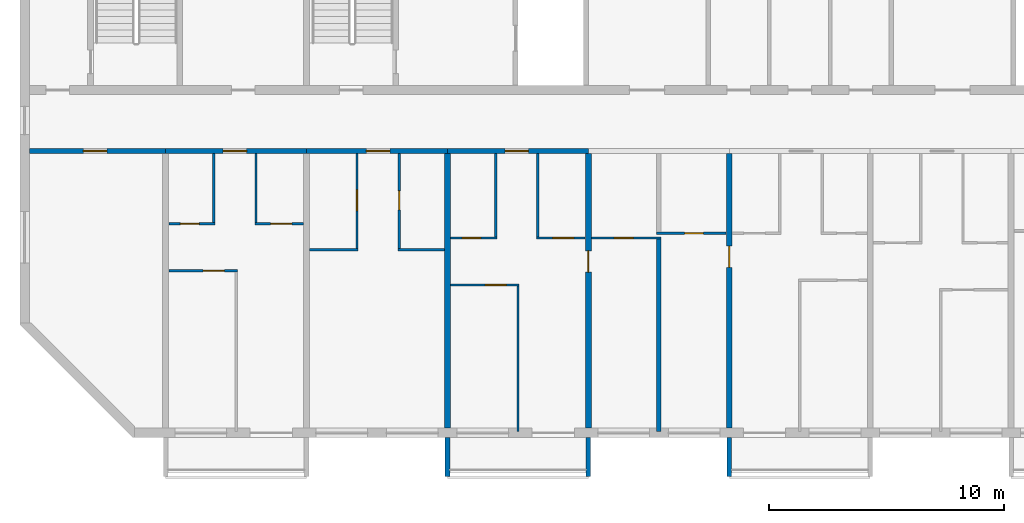
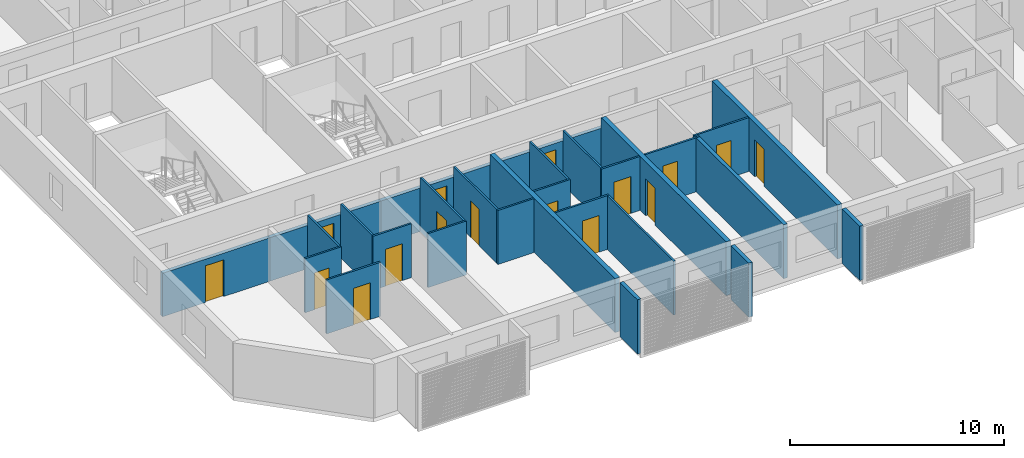
# One storey, part 2 of 27: 28 walls, 16 doors, 16 openings.
"""IFC4 building model written with IfcOpenShell, lengths in metres."""

from ifc_helpers import new_model, si_unit, direction, frame, frame_2d, origin, place, context, subcontext, project, spatial, polyline, rectangle, outline, extrude, source, transform, mapped, material, layer, layer_set, type_object, element, fill, save


model = new_model("IFC4")

# Units and contexts
model_context = context("Model", 3, precision=1e-05, world=origin(), true_north=direction((0.0, 1.0)))
body_context = subcontext(model_context, "Body", "Model", "MODEL_VIEW")
ifc_project = project(units=[si_unit("LENGTHUNIT", "METRE"), si_unit("AREAUNIT", "SQUARE_METRE"), si_unit("VOLUMEUNIT", "CUBIC_METRE"), si_unit("PLANEANGLEUNIT", "RADIAN"), si_unit("MASSUNIT", "GRAM", prefix="KILO")], contexts=[model_context])

# Site, building, storey
site_placement = place(None, origin())
site = spatial("IfcSite", under=ifc_project, at=site_placement, CompositionType="ELEMENT")
building_placement = place(site_placement, origin())
building = spatial("IfcBuilding", under=site, at=building_placement, Name="Poui Terraces", CompositionType="ELEMENT")
storey_placement = place(building_placement, frame((0.0, 0.0, 195.0)))
storey = spatial("IfcBuildingStorey", under=building, at=storey_placement, Name="L54", CompositionType="ELEMENT", Elevation=195.0)

# Wall, opening, door
ifc_material_1 = material(Name="Concrete 50 MPa", Category="concrete")
ifc_layer_1 = layer(ifc_material_1, 0.199951171875)
ifc_layer_set_1 = layer_set([ifc_layer_1], Name="Concrete 50 MPa")
wall_type_1 = type_object("IfcWallType", Name="CORRIDOR WALL 200 50MPa", PredefinedType="SHEAR", material=ifc_layer_set_1)
wall_1_placement = place(storey_placement, frame((18.199951171875, 12.0, 0.0), z_axis=(0.0, 0.0, 1.0), x_axis=(1.0, 0.0, 0.0)))
wall_1 = element("IfcWall", 1, at=wall_1_placement, inside=storey, type_object=wall_type_1, Name="CORRIDOR WALL LINE B BAY 1", PredefinedType="SHEAR", context=body_context, shape_type="SweptSolid", body=[
    extrude(rectangle(XDim=5.800048828125, YDim=0.199951171875, at=frame_2d((2.89990234375, 0.0))), origin(), (0.0, 0.0, 1.0), 2.47998046875),
])
opening_1_placement = place(wall_1_placement, frame((2.300048828125, 0.0, 0.0)))
opening_1 = element("IfcOpeningElement", 2, at=opening_1_placement, cuts=wall_1, Name="Opening D100", PredefinedType="OPENING", context=body_context, shape_type="SweptSolid", body=[
    extrude(rectangle(XDim=1.0, YDim=2.10009765625, at=frame_2d((0.5, 1.050048828125))), frame((0.0, 0.10986328125, 0.0), z_axis=(0.0, -1.0, 0.0), x_axis=(1.0, 0.0, 0.0)), (0.0, 0.0, 1.0), 0.219970703125),
])
ifc_material_2 = material(Name="Solid core timber door", Category="wood")
door_type_1 = type_object("IfcDoorType", Name="ACCESSIBLE INTERNAL DOOR 1000 X 2100", OperationType="NOTDEFINED", PredefinedType="DOOR", material=ifc_material_2)
door_1_placement = place(opening_1_placement, frame((1.0, 0.0, 0.0), z_axis=(0.0, 0.0, 1.0), x_axis=(-1.0, 0.0, 0.0)))
door_1 = element("IfcDoor", 3, at=door_1_placement, inside=storey, type_object=door_type_1, Name="ACCESSIBLE INTERNAL DOOR 063", OperationType="SINGLE_SWING_RIGHT", OverallHeight=2.10009765625, OverallWidth=1.0, PredefinedType="DOOR", context=body_context, shape_type="SweptSolid", body=[
    extrude(rectangle(XDim=1.0, YDim=2.10009765625, at=frame_2d((0.5, 1.050048828125))), frame((0.0, 0.02490234375, 0.0), z_axis=(0.0, -1.0, 0.0), x_axis=(1.0, 0.0, 0.0)), (0.0, 0.0, 1.0), 0.050048828125),
])
fill(opening_1, door_1)

wall_2_placement = place(storey_placement, frame((24.0, 12.0, 0.0), z_axis=(0.0, 0.0, 1.0), x_axis=(1.0, 0.0, 0.0)))
wall_2 = element("IfcWall", 4, at=wall_2_placement, inside=storey, type_object=wall_type_1, Name="CORRIDOR WALL LINE B BAY 2", PredefinedType="SHEAR", context=body_context, shape_type="SweptSolid", body=[
    extrude(rectangle(XDim=6.0, YDim=0.199951171875, at=frame_2d((3.0, 0.0))), origin(), (0.0, 0.0, 1.0), 2.47998046875),
])
opening_2_placement = place(wall_2_placement, frame((2.449951171875, 0.0, 0.0)))
opening_2 = element("IfcOpeningElement", 5, at=opening_2_placement, cuts=wall_2, Name="Opening FD30S", PredefinedType="OPENING", context=body_context, shape_type="SweptSolid", body=[
    extrude(rectangle(XDim=1.0, YDim=2.10009765625, at=frame_2d((0.5, 1.050048828125))), frame((0.0, 0.10986328125, 0.0), z_axis=(0.0, -1.0, 0.0), x_axis=(1.0, 0.0, 0.0)), (0.0, 0.0, 1.0), 0.219970703125),
])
ifc_material_3 = material(Name="Steel fire door", Category="steel")
door_type_2 = type_object("IfcDoorType", Name="FLAT ENTRANCE DOOR 1000 X 2100", OperationType="NOTDEFINED", PredefinedType="DOOR", material=ifc_material_3)
door_2_placement = place(opening_2_placement, frame((1.0, 0.0, 0.0), z_axis=(0.0, 0.0, 1.0), x_axis=(-1.0, 0.0, 0.0)))
door_2 = element("IfcDoor", 6, at=door_2_placement, inside=storey, type_object=door_type_2, Name="FLAT ENTRANCE DOOR 066", OperationType="SINGLE_SWING_RIGHT", OverallHeight=2.10009765625, OverallWidth=1.0, PredefinedType="DOOR", context=body_context, shape_type="SweptSolid", body=[
    extrude(rectangle(XDim=1.0, YDim=2.10009765625, at=frame_2d((0.5, 1.050048828125))), frame((0.0, 0.02490234375, 0.0), z_axis=(0.0, -1.0, 0.0), x_axis=(1.0, 0.0, 0.0)), (0.0, 0.0, 1.0), 0.050048828125),
])
fill(opening_2, door_2)

wall_3_placement = place(storey_placement, frame((30.0, 12.0, 0.0), z_axis=(0.0, 0.0, 1.0), x_axis=(1.0, 0.0, 0.0)))
wall_3 = element("IfcWall", 7, at=wall_3_placement, inside=storey, type_object=wall_type_1, Name="CORRIDOR WALL LINE B BAY 3", PredefinedType="SHEAR", context=body_context, shape_type="SweptSolid", body=[
    extrude(rectangle(XDim=6.0, YDim=0.199951171875, at=frame_2d((3.0, 0.0))), origin(), (0.0, 0.0, 1.0), 2.47998046875),
])
opening_3_placement = place(wall_3_placement, frame((2.550048828125, 0.0, 0.0)))
opening_3 = element("IfcOpeningElement", 8, at=opening_3_placement, cuts=wall_3, Name="Opening FD30S", PredefinedType="OPENING", context=body_context, shape_type="SweptSolid", body=[
    extrude(rectangle(XDim=1.0, YDim=2.10009765625, at=frame_2d((0.5, 1.050048828125))), frame((0.0, 0.10986328125, 0.0), z_axis=(0.0, -1.0, 0.0), x_axis=(1.0, 0.0, 0.0)), (0.0, 0.0, 1.0), 0.219970703125),
])
door_3_placement = place(opening_3_placement, frame((1.0, 0.0, 0.0), z_axis=(0.0, 0.0, 1.0), x_axis=(-1.0, 0.0, 0.0)))
door_3 = element("IfcDoor", 9, at=door_3_placement, inside=storey, type_object=door_type_2, Name="FLAT ENTRANCE DOOR 069", OperationType="SINGLE_SWING_LEFT", OverallHeight=2.10009765625, OverallWidth=1.0, PredefinedType="DOOR", context=body_context, shape_type="SweptSolid", body=[
    extrude(rectangle(XDim=1.0, YDim=2.10009765625, at=frame_2d((0.5, 1.050048828125))), frame((0.0, 0.02490234375, 0.0), z_axis=(0.0, -1.0, 0.0), x_axis=(1.0, 0.0, 0.0)), (0.0, 0.0, 1.0), 0.050048828125),
])
fill(opening_3, door_3)

wall_4_placement = place(storey_placement, frame((36.0, 12.0, 0.0), z_axis=(0.0, 0.0, 1.0), x_axis=(1.0, 0.0, 0.0)))
wall_4 = element("IfcWall", 10, at=wall_4_placement, inside=storey, type_object=wall_type_1, Name="CORRIDOR WALL LINE B BAY 4", PredefinedType="SHEAR", context=body_context, shape_type="SweptSolid", body=[
    extrude(rectangle(XDim=6.0, YDim=0.199951171875, at=frame_2d((3.0, 0.0))), origin(), (0.0, 0.0, 1.0), 2.47998046875),
])
opening_4_placement = place(wall_4_placement, frame((2.449951171875, 0.0, 0.0)))
opening_4 = element("IfcOpeningElement", 11, at=opening_4_placement, cuts=wall_4, Name="Opening FD30S", PredefinedType="OPENING", context=body_context, shape_type="SweptSolid", body=[
    extrude(rectangle(XDim=1.0, YDim=2.10009765625, at=frame_2d((0.5, 1.050048828125))), frame((0.0, 0.10986328125, 0.0), z_axis=(0.0, -1.0, 0.0), x_axis=(1.0, 0.0, 0.0)), (0.0, 0.0, 1.0), 0.219970703125),
])
door_4_placement = place(opening_4_placement, frame((1.0, 0.0, 0.0), z_axis=(0.0, 0.0, 1.0), x_axis=(-1.0, 0.0, 0.0)))
door_4 = element("IfcDoor", 12, at=door_4_placement, inside=storey, type_object=door_type_2, Name="FLAT ENTRANCE DOOR 074", OperationType="SINGLE_SWING_RIGHT", OverallHeight=2.10009765625, OverallWidth=1.0, PredefinedType="DOOR", context=body_context, shape_type="SweptSolid", body=[
    extrude(rectangle(XDim=1.0, YDim=2.10009765625, at=frame_2d((0.5, 1.050048828125))), frame((0.0, 0.02490234375, 0.0), z_axis=(0.0, -1.0, 0.0), x_axis=(1.0, 0.0, 0.0)), (0.0, 0.0, 1.0), 0.050048828125),
])
fill(opening_4, door_4)

# Wall
ifc_layer_2 = layer(ifc_material_1, 0.25)
ifc_layer_set_2 = layer_set([ifc_layer_2], Name="Concrete 50 MPa")
wall_type_2 = type_object("IfcWallType", Name="CROSS WALL 250 50MPa", PredefinedType="SHEAR", material=ifc_layer_set_2)
wall_5_placement = place(storey_placement, frame((36.0, 0.199951171875, 0.0), z_axis=(0.0, 0.0, 1.0), x_axis=(0.0, 1.0, 0.0)))
element("IfcWall", 13, at=wall_5_placement, inside=storey, type_object=wall_type_2, Name="CROSS WALL LINE 7 SOUTH", PredefinedType="SHEAR", context=body_context, shape_type="SweptSolid", body=[
    extrude(rectangle(XDim=11.699951171875, YDim=0.25, at=frame_2d((5.85009765625, 0.0))), origin(), (0.0, 0.0, 1.0), 3.080078125),
])

# Wall, opening, door
wall_6_placement = place(storey_placement, frame((42.0, 0.199951171875, 0.0), z_axis=(0.0, 0.0, 1.0), x_axis=(0.0, 1.0, 0.0)))
wall_6 = element("IfcWall", 14, at=wall_6_placement, inside=storey, type_object=wall_type_2, Name="CROSS WALL LINE 8 SOUTH", PredefinedType="SHEAR", context=body_context, shape_type="SweptSolid", body=[
    extrude(rectangle(XDim=11.699951171875, YDim=0.25, at=frame_2d((5.85009765625, 0.0))), origin(), (0.0, 0.0, 1.0), 3.080078125),
])
opening_5_placement = place(wall_6_placement, frame((6.64990234375, 0.0, 0.0)))
opening_5 = element("IfcOpeningElement", 15, at=opening_5_placement, cuts=wall_6, Name="Opening D90", PredefinedType="OPENING", context=body_context, shape_type="SweptSolid", body=[
    extrude(rectangle(XDim=0.89990234375, YDim=2.10009765625, at=frame_2d((0.449951171875, 1.050048828125))), frame((0.0, 0.135009765625, 0.0), z_axis=(0.0, -1.0, 0.0), x_axis=(1.0, 0.0, 0.0)), (0.0, 0.0, 1.0), 0.27001953125),
])
door_type_3 = type_object("IfcDoorType", Name="INTERNAL DOOR 900 X 2100", OperationType="NOTDEFINED", PredefinedType="DOOR", material=ifc_material_2)
door_5_placement = place(opening_5_placement, frame((0.89990234375, 0.0, 0.0), z_axis=(0.0, 0.0, 1.0), x_axis=(-1.0, 0.0, 0.0)))
door_5 = element("IfcDoor", 16, at=door_5_placement, inside=storey, type_object=door_type_3, Name="INTERNAL DOOR 076", OperationType="SINGLE_SWING_LEFT", OverallHeight=2.10009765625, OverallWidth=0.89990234375, PredefinedType="DOOR", context=body_context, shape_type="SweptSolid", body=[
    extrude(rectangle(XDim=0.89990234375, YDim=2.10009765625, at=frame_2d((0.449951171875, 1.050048828125))), frame((0.0, 0.02490234375, 0.0), z_axis=(0.0, -1.0, 0.0), x_axis=(1.0, 0.0, 0.0)), (0.0, 0.0, 1.0), 0.050048828125),
])
fill(opening_5, door_5)

wall_7_placement = place(storey_placement, frame((48.0, 0.199951171875, 0.0), z_axis=(0.0, 0.0, 1.0), x_axis=(0.0, 1.0, 0.0)))
wall_7 = element("IfcWall", 17, at=wall_7_placement, inside=storey, type_object=wall_type_2, Name="CROSS WALL LINE 9 SOUTH", PredefinedType="SHEAR", context=body_context, shape_type="SweptSolid", body=[
    extrude(rectangle(XDim=11.699951171875, YDim=0.25, at=frame_2d((5.85009765625, 0.0))), origin(), (0.0, 0.0, 1.0), 3.080078125),
])
opening_6_placement = place(wall_7_placement, frame((6.85009765625, 0.0, 0.0)))
opening_6 = element("IfcOpeningElement", 18, at=opening_6_placement, cuts=wall_7, Name="Opening D90", PredefinedType="OPENING", context=body_context, shape_type="SweptSolid", body=[
    extrude(rectangle(XDim=0.89990234375, YDim=2.10009765625, at=frame_2d((0.449951171875, 1.050048828125))), frame((0.0, 0.135009765625, 0.0), z_axis=(0.0, -1.0, 0.0), x_axis=(1.0, 0.0, 0.0)), (0.0, 0.0, 1.0), 0.27001953125),
])
door_6_placement = place(opening_6_placement, origin())
door_6 = element("IfcDoor", 19, at=door_6_placement, inside=storey, type_object=door_type_3, Name="INTERNAL DOOR 078", OperationType="SINGLE_SWING_RIGHT", OverallHeight=2.10009765625, OverallWidth=0.89990234375, PredefinedType="DOOR", context=body_context, shape_type="SweptSolid", body=[
    extrude(rectangle(XDim=0.89990234375, YDim=2.10009765625, at=frame_2d((0.449951171875, 1.050048828125))), frame((0.0, 0.02490234375, 0.0), z_axis=(0.0, -1.0, 0.0), x_axis=(1.0, 0.0, 0.0)), (0.0, 0.0, 1.0), 0.050048828125),
])
fill(opening_6, door_6)

ifc_material_4 = material(Name="Plasterboard partition")
ifc_layer_3 = layer(ifc_material_4, 0.10009765625)
ifc_layer_set_3 = layer_set([ifc_layer_3], Name="Plasterboard partition")
wall_type_3 = type_object("IfcWallType", Name="FLAT PARTITION 100", PredefinedType="PARTITIONING", material=ifc_layer_set_3)
wall_8_placement = place(storey_placement, frame((36.135009765625, 6.300048828125, 0.0), z_axis=(0.0, 0.0, 1.0), x_axis=(1.0, 0.0, 0.0)))
wall_8 = element("IfcWall", 20, at=wall_8_placement, inside=storey, type_object=wall_type_3, Name="FLAT PARTITION 100", PredefinedType="PARTITIONING", context=body_context, shape_type="SweptSolid", body=[
    extrude(rectangle(XDim=2.9150390625, YDim=0.10009765625, at=frame_2d((1.45751953125, 0.0))), origin(), (0.0, 0.0, 1.0), 3.080078125),
])
opening_7_placement = place(wall_8_placement, frame((1.465087890625, 0.0, 0.0)))
opening_7 = element("IfcOpeningElement", 21, at=opening_7_placement, cuts=wall_8, Name="Opening D90", PredefinedType="OPENING", context=body_context, shape_type="SweptSolid", body=[
    extrude(rectangle(XDim=0.89990234375, YDim=2.10009765625, at=frame_2d((0.449951171875, 1.050048828125))), frame((0.0, 0.06005859375, 0.0), z_axis=(0.0, -1.0, 0.0), x_axis=(1.0, 0.0, 0.0)), (0.0, 0.0, 1.0), 0.1201171875),
])
door_7_placement = place(opening_7_placement, origin())
door_7 = element("IfcDoor", 22, at=door_7_placement, inside=storey, type_object=door_type_3, Name="INTERNAL DOOR 073", OperationType="SINGLE_SWING_LEFT", OverallHeight=2.10009765625, OverallWidth=0.89990234375, PredefinedType="DOOR", context=body_context, shape_type="SweptSolid", body=[
    extrude(rectangle(XDim=0.89990234375, YDim=2.10009765625, at=frame_2d((0.449951171875, 1.050048828125))), frame((0.0, 0.02490234375, 0.0), z_axis=(0.0, -1.0, 0.0), x_axis=(1.0, 0.0, 0.0)), (0.0, 0.0, 1.0), 0.050048828125),
])
fill(opening_7, door_7)

wall_9_placement = place(storey_placement, frame((24.135009765625, 6.89990234375, 0.0), z_axis=(0.0, 0.0, 1.0), x_axis=(1.0, 0.0, 0.0)))
wall_9 = element("IfcWall", 23, at=wall_9_placement, inside=storey, type_object=wall_type_3, Name="FLAT PARTITION 100", PredefinedType="PARTITIONING", context=body_context, shape_type="SweptSolid", body=[
    extrude(rectangle(XDim=2.9150390625, YDim=0.10009765625, at=frame_2d((1.45751953125, 0.0))), origin(), (0.0, 0.0, 1.0), 3.080078125),
])
opening_8_placement = place(wall_9_placement, frame((1.465087890625, 0.0, 0.0)))
opening_8 = element("IfcOpeningElement", 24, at=opening_8_placement, cuts=wall_9, Name="Opening D90", PredefinedType="OPENING", context=body_context, shape_type="SweptSolid", body=[
    extrude(rectangle(XDim=0.89990234375, YDim=2.10009765625, at=frame_2d((0.449951171875, 1.050048828125))), frame((0.0, 0.06005859375, 0.0), z_axis=(0.0, -1.0, 0.0), x_axis=(1.0, 0.0, 0.0)), (0.0, 0.0, 1.0), 0.1201171875),
])
door_8_placement = place(opening_8_placement, origin())
door_8 = element("IfcDoor", 25, at=door_8_placement, inside=storey, type_object=door_type_3, Name="INTERNAL DOOR 065", OperationType="SINGLE_SWING_LEFT", OverallHeight=2.10009765625, OverallWidth=0.89990234375, PredefinedType="DOOR", context=body_context, shape_type="SweptSolid", body=[
    extrude(rectangle(XDim=0.89990234375, YDim=2.10009765625, at=frame_2d((0.449951171875, 1.050048828125))), frame((0.0, 0.02490234375, 0.0), z_axis=(0.0, -1.0, 0.0), x_axis=(1.0, 0.0, 0.0)), (0.0, 0.0, 1.0), 0.050048828125),
])
fill(opening_8, door_8)

# Walls
wall_10_placement = place(storey_placement, frame((30.135009765625, 7.800048828125, 0.0), z_axis=(0.0, 0.0, 1.0), x_axis=(1.0, 0.0, 0.0)))
element("IfcWall", 26, at=wall_10_placement, inside=storey, type_object=wall_type_3, Name="FLAT PARTITION 100", PredefinedType="PARTITIONING", context=body_context, shape_type="SweptSolid", body=[
    extrude(rectangle(XDim=2.06494140625, YDim=0.10009765625, at=frame_2d((1.032470703125, 0.0))), origin(), (0.0, 0.0, 1.0), 3.080078125),
])
wall_11_placement = place(storey_placement, frame((33.89990234375, 7.800048828125, 0.0), z_axis=(0.0, 0.0, 1.0), x_axis=(1.0, 0.0, 0.0)))
element("IfcWall", 27, at=wall_11_placement, inside=storey, type_object=wall_type_3, Name="FLAT PARTITION 100", PredefinedType="PARTITIONING", context=body_context, shape_type="SweptSolid", body=[
    extrude(rectangle(XDim=1.965087890625, YDim=0.10009765625, at=frame_2d((0.982421875, 0.0))), origin(), (0.0, 0.0, 1.0), 3.080078125),
])

# Wall, opening, door
wall_12_placement = place(storey_placement, frame((36.135009765625, 8.300048828125, 0.0), z_axis=(0.0, 0.0, 1.0), x_axis=(1.0, 0.0, 0.0)))
wall_12 = element("IfcWall", 28, at=wall_12_placement, inside=storey, type_object=wall_type_3, Name="FLAT PARTITION 100", PredefinedType="PARTITIONING", context=body_context, shape_type="SweptSolid", body=[
    extrude(rectangle(XDim=1.965087890625, YDim=0.10009765625, at=frame_2d((0.982421875, 0.0))), origin(), (0.0, 0.0, 1.0), 3.080078125),
])
opening_9_placement = place(wall_12_placement, frame((0.489990234375, 0.0, 0.0)))
opening_9 = element("IfcOpeningElement", 29, at=opening_9_placement, cuts=wall_12, Name="Opening D80", PredefinedType="OPENING", context=body_context, shape_type="SweptSolid", body=[
    extrude(rectangle(XDim=0.800048828125, YDim=2.10009765625, at=frame_2d((0.39990234375, 1.050048828125))), frame((0.0, 0.06005859375, 0.0), z_axis=(0.0, -1.0, 0.0), x_axis=(1.0, 0.0, 0.0)), (0.0, 0.0, 1.0), 0.1201171875),
])
door_type_4 = type_object("IfcDoorType", Name="BATHROOM, LAUNDRY AND STORE DOOR 800 X 2100", OperationType="NOTDEFINED", PredefinedType="DOOR", material=ifc_material_2)
door_9_placement = place(opening_9_placement, origin())
door_9 = element("IfcDoor", 30, at=door_9_placement, inside=storey, type_object=door_type_4, Name="BATHROOM, LAUNDRY AND STORE DOOR 072", OperationType="SINGLE_SWING_RIGHT", OverallHeight=2.10009765625, OverallWidth=0.800048828125, PredefinedType="DOOR", context=body_context, shape_type="SweptSolid", body=[
    extrude(rectangle(XDim=0.800048828125, YDim=2.10009765625, at=frame_2d((0.39990234375, 1.050048828125))), frame((0.0, 0.02490234375, 0.0), z_axis=(0.0, -1.0, 0.0), x_axis=(1.0, 0.0, 0.0)), (0.0, 0.0, 1.0), 0.050048828125),
])
fill(opening_9, door_9)

wall_13_placement = place(storey_placement, frame((39.800048828125, 8.300048828125, 0.0), z_axis=(0.0, 0.0, 1.0), x_axis=(1.0, 0.0, 0.0)))
wall_13 = element("IfcWall", 31, at=wall_13_placement, inside=storey, type_object=wall_type_3, Name="FLAT PARTITION 100", PredefinedType="PARTITIONING", context=body_context, shape_type="SweptSolid", body=[
    extrude(rectangle(XDim=2.06494140625, YDim=0.10009765625, at=frame_2d((1.032470703125, 0.0))), origin(), (0.0, 0.0, 1.0), 3.080078125),
])
opening_10_placement = place(wall_13_placement, frame((0.675048828125, 0.0, 0.0)))
opening_10 = element("IfcOpeningElement", 32, at=opening_10_placement, cuts=wall_13, Name="Opening D90", PredefinedType="OPENING", context=body_context, shape_type="SweptSolid", body=[
    extrude(rectangle(XDim=0.89990234375, YDim=2.10009765625, at=frame_2d((0.449951171875, 1.050048828125))), frame((0.0, 0.06005859375, 0.0), z_axis=(0.0, -1.0, 0.0), x_axis=(1.0, 0.0, 0.0)), (0.0, 0.0, 1.0), 0.1201171875),
])
door_10_placement = place(opening_10_placement, origin())
door_10 = element("IfcDoor", 33, at=door_10_placement, inside=storey, type_object=door_type_3, Name="INTERNAL DOOR 075", OperationType="SINGLE_SWING_LEFT", OverallHeight=2.10009765625, OverallWidth=0.89990234375, PredefinedType="DOOR", context=body_context, shape_type="SweptSolid", body=[
    extrude(rectangle(XDim=0.89990234375, YDim=2.10009765625, at=frame_2d((0.449951171875, 1.050048828125))), frame((0.0, 0.02490234375, 0.0), z_axis=(0.0, -1.0, 0.0), x_axis=(1.0, 0.0, 0.0)), (0.0, 0.0, 1.0), 0.050048828125),
])
fill(opening_10, door_10)

wall_14_placement = place(storey_placement, frame((42.135009765625, 8.300048828125, 0.0), z_axis=(0.0, 0.0, 1.0), x_axis=(1.0, 0.0, 0.0)))
wall_14 = element("IfcWall", 34, at=wall_14_placement, inside=storey, type_object=wall_type_3, Name="FLAT PARTITION 100", PredefinedType="PARTITIONING", context=body_context, shape_type="SweptSolid", body=[
    extrude(rectangle(XDim=2.965087890625, YDim=0.10009765625, at=frame_2d((1.482421875, 0.0))), origin(), (0.0, 0.0, 1.0), 3.080078125),
])
opening_11_placement = place(wall_14_placement, frame((0.965087890625, 0.0, 0.0)))
opening_11 = element("IfcOpeningElement", 35, at=opening_11_placement, cuts=wall_14, Name="Opening D80", PredefinedType="OPENING", context=body_context, shape_type="SweptSolid", body=[
    extrude(rectangle(XDim=0.800048828125, YDim=2.10009765625, at=frame_2d((0.39990234375, 1.050048828125))), frame((0.0, 0.06005859375, 0.0), z_axis=(0.0, -1.0, 0.0), x_axis=(1.0, 0.0, 0.0)), (0.0, 0.0, 1.0), 0.1201171875),
])
door_11_placement = place(opening_11_placement, origin())
door_11 = element("IfcDoor", 36, at=door_11_placement, inside=storey, type_object=door_type_4, Name="BATHROOM, LAUNDRY AND STORE DOOR 071", OperationType="SINGLE_SWING_RIGHT", OverallHeight=2.10009765625, OverallWidth=0.800048828125, PredefinedType="DOOR", context=body_context, shape_type="SweptSolid", body=[
    extrude(rectangle(XDim=0.800048828125, YDim=2.10009765625, at=frame_2d((0.39990234375, 1.050048828125))), frame((0.0, 0.02490234375, 0.0), z_axis=(0.0, -1.0, 0.0), x_axis=(1.0, 0.0, 0.0)), (0.0, 0.0, 1.0), 0.050048828125),
])
fill(opening_11, door_11)

wall_15_placement = place(storey_placement, frame((44.89990234375, 8.5, 0.0), z_axis=(0.0, 0.0, 1.0), x_axis=(1.0, 0.0, 0.0)))
wall_15 = element("IfcWall", 37, at=wall_15_placement, inside=storey, type_object=wall_type_3, Name="FLAT PARTITION 100", PredefinedType="PARTITIONING", context=body_context, shape_type="SweptSolid", body=[
    extrude(rectangle(XDim=2.965087890625, YDim=0.10009765625, at=frame_2d((1.482421875, 0.0))), origin(), (0.0, 0.0, 1.0), 3.080078125),
])
opening_12_placement = place(wall_15_placement, frame((1.199951171875, 0.0, 0.0)))
opening_12 = element("IfcOpeningElement", 38, at=opening_12_placement, cuts=wall_15, Name="Opening D80", PredefinedType="OPENING", context=body_context, shape_type="SweptSolid", body=[
    extrude(rectangle(XDim=0.800048828125, YDim=2.10009765625, at=frame_2d((0.39990234375, 1.050048828125))), frame((0.0, 0.06005859375, 0.0), z_axis=(0.0, -1.0, 0.0), x_axis=(1.0, 0.0, 0.0)), (0.0, 0.0, 1.0), 0.1201171875),
])
door_12_placement = place(opening_12_placement, origin())
door_12 = element("IfcDoor", 39, at=door_12_placement, inside=storey, type_object=door_type_4, Name="BATHROOM, LAUNDRY AND STORE DOOR 077", OperationType="SINGLE_SWING_LEFT", OverallHeight=2.10009765625, OverallWidth=0.800048828125, PredefinedType="DOOR", context=body_context, shape_type="SweptSolid", body=[
    extrude(rectangle(XDim=0.800048828125, YDim=2.10009765625, at=frame_2d((0.39990234375, 1.050048828125))), frame((0.0, 0.02490234375, 0.0), z_axis=(0.0, -1.0, 0.0), x_axis=(1.0, 0.0, 0.0)), (0.0, 0.0, 1.0), 0.050048828125),
])
fill(opening_12, door_12)

wall_16_placement = place(storey_placement, frame((24.135009765625, 8.89990234375, 0.0), z_axis=(0.0, 0.0, 1.0), x_axis=(1.0, 0.0, 0.0)))
wall_16 = element("IfcWall", 40, at=wall_16_placement, inside=storey, type_object=wall_type_3, Name="FLAT PARTITION 100", PredefinedType="PARTITIONING", context=body_context, shape_type="SweptSolid", body=[
    extrude(rectangle(XDim=1.965087890625, YDim=0.10009765625, at=frame_2d((0.982421875, 0.0))), origin(), (0.0, 0.0, 1.0), 3.080078125),
])
opening_13_placement = place(wall_16_placement, frame((0.489990234375, 0.0, 0.0)))
opening_13 = element("IfcOpeningElement", 41, at=opening_13_placement, cuts=wall_16, Name="Opening D80", PredefinedType="OPENING", context=body_context, shape_type="SweptSolid", body=[
    extrude(rectangle(XDim=0.800048828125, YDim=2.10009765625, at=frame_2d((0.39990234375, 1.050048828125))), frame((0.0, 0.06005859375, 0.0), z_axis=(0.0, -1.0, 0.0), x_axis=(1.0, 0.0, 0.0)), (0.0, 0.0, 1.0), 0.1201171875),
])
door_13_placement = place(opening_13_placement, origin())
door_13 = element("IfcDoor", 42, at=door_13_placement, inside=storey, type_object=door_type_4, Name="BATHROOM, LAUNDRY AND STORE DOOR 064", OperationType="SINGLE_SWING_RIGHT", OverallHeight=2.10009765625, OverallWidth=0.800048828125, PredefinedType="DOOR", context=body_context, shape_type="SweptSolid", body=[
    extrude(rectangle(XDim=0.800048828125, YDim=2.10009765625, at=frame_2d((0.39990234375, 1.050048828125))), frame((0.0, 0.02490234375, 0.0), z_axis=(0.0, -1.0, 0.0), x_axis=(1.0, 0.0, 0.0)), (0.0, 0.0, 1.0), 0.050048828125),
])
fill(opening_13, door_13)

wall_17_placement = place(storey_placement, frame((27.800048828125, 8.89990234375, 0.0), z_axis=(0.0, 0.0, 1.0), x_axis=(1.0, 0.0, 0.0)))
wall_17 = element("IfcWall", 43, at=wall_17_placement, inside=storey, type_object=wall_type_3, Name="FLAT PARTITION 100", PredefinedType="PARTITIONING", context=body_context, shape_type="SweptSolid", body=[
    extrude(rectangle(XDim=2.06494140625, YDim=0.10009765625, at=frame_2d((1.032470703125, 0.0))), origin(), (0.0, 0.0, 1.0), 3.080078125),
])
opening_14_placement = place(wall_17_placement, frame((0.675048828125, 0.0, 0.0)))
opening_14 = element("IfcOpeningElement", 44, at=opening_14_placement, cuts=wall_17, Name="Opening D90", PredefinedType="OPENING", context=body_context, shape_type="SweptSolid", body=[
    extrude(rectangle(XDim=0.89990234375, YDim=2.10009765625, at=frame_2d((0.449951171875, 1.050048828125))), frame((0.0, 0.06005859375, 0.0), z_axis=(0.0, -1.0, 0.0), x_axis=(1.0, 0.0, 0.0)), (0.0, 0.0, 1.0), 0.1201171875),
])
door_14_placement = place(opening_14_placement, origin())
door_14 = element("IfcDoor", 45, at=door_14_placement, inside=storey, type_object=door_type_3, Name="INTERNAL DOOR 067", OperationType="SINGLE_SWING_LEFT", OverallHeight=2.10009765625, OverallWidth=0.89990234375, PredefinedType="DOOR", context=body_context, shape_type="SweptSolid", body=[
    extrude(rectangle(XDim=0.89990234375, YDim=2.10009765625, at=frame_2d((0.449951171875, 1.050048828125))), frame((0.0, 0.02490234375, 0.0), z_axis=(0.0, -1.0, 0.0), x_axis=(1.0, 0.0, 0.0)), (0.0, 0.0, 1.0), 0.050048828125),
])
fill(opening_14, door_14)

# Walls
for number, where, z_axis, x_axis, name in (
    (46, (26.050048828125, 8.949951171875, 0.0), (0.0, 0.0, 1.0), (0.0, 1.0, 0.0), "FLAT PARTITION 100"),
    (47, (27.85009765625, 8.949951171875, 0.0), (0.0, 0.0, 1.0), (0.0, 1.0, 0.0), "FLAT PARTITION 100"),
):
    element("IfcWall", number, at=place(storey_placement, frame(where, z_axis=z_axis, x_axis=x_axis)), inside=storey, type_object=wall_type_3, Name=name, PredefinedType="PARTITIONING", context=body_context, shape_type="SweptSolid", body=[
        extrude(rectangle(XDim=2.93994140625, YDim=0.10009765625, at=frame_2d((1.469970703125, 0.0))), origin(), (0.0, 0.0, 1.0), 3.080078125),
    ])

# Wall, opening, door
wall_18_placement = place(storey_placement, frame((32.14990234375, 7.85009765625, 0.0), z_axis=(0.0, 0.0, 1.0), x_axis=(0.0, 1.0, 0.0)))
wall_18 = element("IfcWall", 48, at=wall_18_placement, inside=storey, type_object=wall_type_3, Name="FLAT PARTITION 100", PredefinedType="PARTITIONING", context=body_context, shape_type="SweptSolid", body=[
    extrude(rectangle(XDim=4.039794921875, YDim=0.10009765625, at=frame_2d((2.02001953125, 0.0))), origin(), (0.0, 0.0, 1.0), 3.080078125),
])
opening_15_placement = place(wall_18_placement, frame((1.60009765625, 0.0, 0.0)))
opening_15 = element("IfcOpeningElement", 49, at=opening_15_placement, cuts=wall_18, Name="Opening D90", PredefinedType="OPENING", context=body_context, shape_type="SweptSolid", body=[
    extrude(rectangle(XDim=0.89990234375, YDim=2.10009765625, at=frame_2d((0.449951171875, 1.050048828125))), frame((0.0, 0.06005859375, 0.0), z_axis=(0.0, -1.0, 0.0), x_axis=(1.0, 0.0, 0.0)), (0.0, 0.0, 1.0), 0.1201171875),
])
door_15_placement = place(opening_15_placement, origin())
door_15 = element("IfcDoor", 50, at=door_15_placement, inside=storey, type_object=door_type_3, Name="INTERNAL DOOR 068", OperationType="SINGLE_SWING_RIGHT", OverallHeight=2.10009765625, OverallWidth=0.89990234375, PredefinedType="DOOR", context=body_context, shape_type="SweptSolid", body=[
    extrude(rectangle(XDim=0.89990234375, YDim=2.10009765625, at=frame_2d((0.449951171875, 1.050048828125))), frame((0.0, 0.02490234375, 0.0), z_axis=(0.0, -1.0, 0.0), x_axis=(1.0, 0.0, 0.0)), (0.0, 0.0, 1.0), 0.050048828125),
])
fill(opening_15, door_15)

wall_19_placement = place(storey_placement, frame((33.949951171875, 7.85009765625, 0.0), z_axis=(0.0, 0.0, 1.0), x_axis=(0.0, 1.0, 0.0)))
wall_19 = element("IfcWall", 51, at=wall_19_placement, inside=storey, type_object=wall_type_3, Name="FLAT PARTITION 100", PredefinedType="PARTITIONING", context=body_context, shape_type="SweptSolid", body=[
    extrude(rectangle(XDim=4.039794921875, YDim=0.10009765625, at=frame_2d((2.02001953125, 0.0))), origin(), (0.0, 0.0, 1.0), 3.080078125),
])
opening_16_placement = place(wall_19_placement, frame((1.64990234375, 0.0, 0.0)))
opening_16 = element("IfcOpeningElement", 52, at=opening_16_placement, cuts=wall_19, Name="Opening D80", PredefinedType="OPENING", context=body_context, shape_type="SweptSolid", body=[
    extrude(rectangle(XDim=0.800048828125, YDim=2.10009765625, at=frame_2d((0.39990234375, 1.050048828125))), frame((0.0, 0.06005859375, 0.0), z_axis=(0.0, -1.0, 0.0), x_axis=(1.0, 0.0, 0.0)), (0.0, 0.0, 1.0), 0.1201171875),
])
door_16_placement = place(opening_16_placement, frame((0.800048828125, 0.0, 0.0), z_axis=(0.0, 0.0, 1.0), x_axis=(-1.0, 0.0, 0.0)))
door_16 = element("IfcDoor", 53, at=door_16_placement, inside=storey, type_object=door_type_4, Name="BATHROOM, LAUNDRY AND STORE DOOR 070", OperationType="SINGLE_SWING_RIGHT", OverallHeight=2.10009765625, OverallWidth=0.800048828125, PredefinedType="DOOR", context=body_context, shape_type="SweptSolid", body=[
    extrude(rectangle(XDim=0.800048828125, YDim=2.10009765625, at=frame_2d((0.39990234375, 1.050048828125))), frame((0.0, 0.02490234375, 0.0), z_axis=(0.0, -1.0, 0.0), x_axis=(1.0, 0.0, 0.0)), (0.0, 0.0, 1.0), 0.050048828125),
])
fill(opening_16, door_16)

# Walls
wall_20_placement = place(storey_placement, frame((38.050048828125, 8.35009765625, 0.0), z_axis=(0.0, 0.0, 1.0), x_axis=(0.0, 1.0, 0.0)))
element("IfcWall", 54, at=wall_20_placement, inside=storey, type_object=wall_type_3, Name="FLAT PARTITION 100", PredefinedType="PARTITIONING", context=body_context, shape_type="SweptSolid", body=[
    extrude(rectangle(XDim=3.539794921875, YDim=0.10009765625, at=frame_2d((1.77001953125, 0.0))), origin(), (0.0, 0.0, 1.0), 3.080078125),
])
wall_21_placement = place(storey_placement, frame((39.0, 0.06005859375, 0.0), z_axis=(0.0, 0.0, 1.0), x_axis=(0.0, 1.0, 0.0)))
element("IfcWall", 55, at=wall_21_placement, inside=storey, type_object=wall_type_3, Name="FLAT PARTITION 100", PredefinedType="PARTITIONING", context=body_context, shape_type="SweptSolid", body=[
    extrude(rectangle(XDim=6.18994140625, YDim=0.10009765625, at=frame_2d((3.094970703125, 0.0))), origin(), (0.0, 0.0, 1.0), 3.080078125),
])
wall_22_placement = place(storey_placement, frame((39.85009765625, 8.35009765625, 0.0), z_axis=(0.0, 0.0, 1.0), x_axis=(0.0, 1.0, 0.0)))
element("IfcWall", 56, at=wall_22_placement, inside=storey, type_object=wall_type_3, Name="FLAT PARTITION 100", PredefinedType="PARTITIONING", context=body_context, shape_type="SweptSolid", body=[
    extrude(rectangle(XDim=3.539794921875, YDim=0.10009765625, at=frame_2d((1.77001953125, 0.0))), origin(), (0.0, 0.0, 1.0), 3.080078125),
])
ifc_material_5 = material(Name="Fire-rated masonry wall", Category="masonry")
ifc_layer_4 = layer(ifc_material_5, 0.199951171875)
ifc_layer_set_4 = layer_set([ifc_layer_4], Name="Fire-rated masonry wall")
wall_type_4 = type_object("IfcWallType", Name="FLAT PARTY WALL 200", PredefinedType="PARTITIONING", material=ifc_layer_set_4)
wall_23_placement = place(storey_placement, frame((45.0, 0.06005859375, 0.0), z_axis=(0.0, 0.0, 1.0), x_axis=(0.0, 1.0, 0.0)))
element("IfcWall", 57, at=wall_23_placement, inside=storey, type_object=wall_type_4, Name="FLAT PARTY WALL 200", PredefinedType="PARTITIONING", context=body_context, shape_type="SweptSolid", body=[
    extrude(rectangle(XDim=8.18994140625, YDim=0.199951171875, at=frame_2d((4.094970703125, 0.0))), origin(), (0.0, 0.0, 1.0), 3.080078125),
])
ifc_material_6 = material(Name="Precast concrete 40 MPa", Category="concrete")
ifc_layer_5 = layer(ifc_material_6, 0.199951171875)
ifc_layer_set_5 = layer_set([ifc_layer_5], Name="Precast concrete 40 MPa")
wall_type_5 = type_object("IfcWallType", Name="REAR FIN 200", PredefinedType="STANDARD", material=ifc_layer_set_5)
shared_shape = source(origin(), body_context, "Body", "SweptSolid", [
    extrude(outline(polyline([(0.0, 0.0), (0.2001953125, 0.0), (0.2001953125, 1.650146484375), (0.0, 1.650146484375), (0.0, 0.0)])), origin(), (0.0, 0.0, 1.0), 3.10009765625),
])
for number, where, name in (
    (58, (35.89990234375, -1.85009765625, 0.0), "REAR FIN"),
    (59, (41.89990234375, -1.85009765625, 0.0), "REAR FIN"),
    (60, (47.89990234375, -1.85009765625, 0.0), "REAR FIN"),
):
    element("IfcWall", number, at=place(storey_placement, frame(where)), inside=storey, type_object=wall_type_5, Name=name, PredefinedType="STANDARD", context=body_context, shape_type="MappedRepresentation", body=[
        mapped(shared_shape, transform((0.0, 0.0, 0.0))),
    ])

save(model, "model.ifc")
